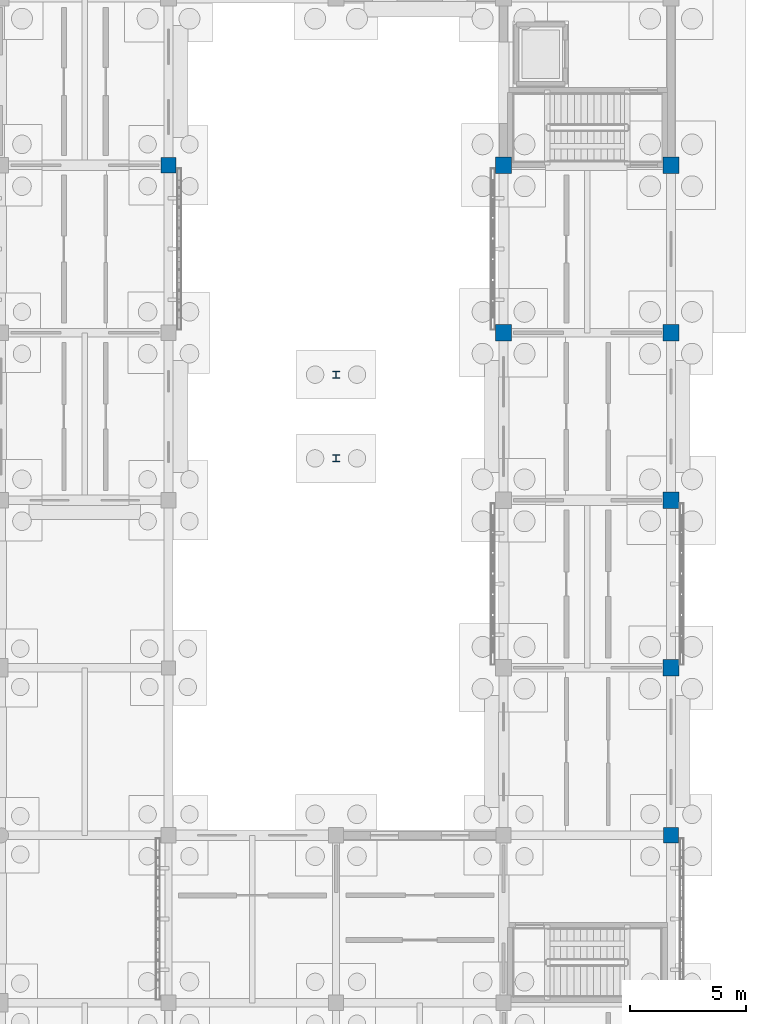
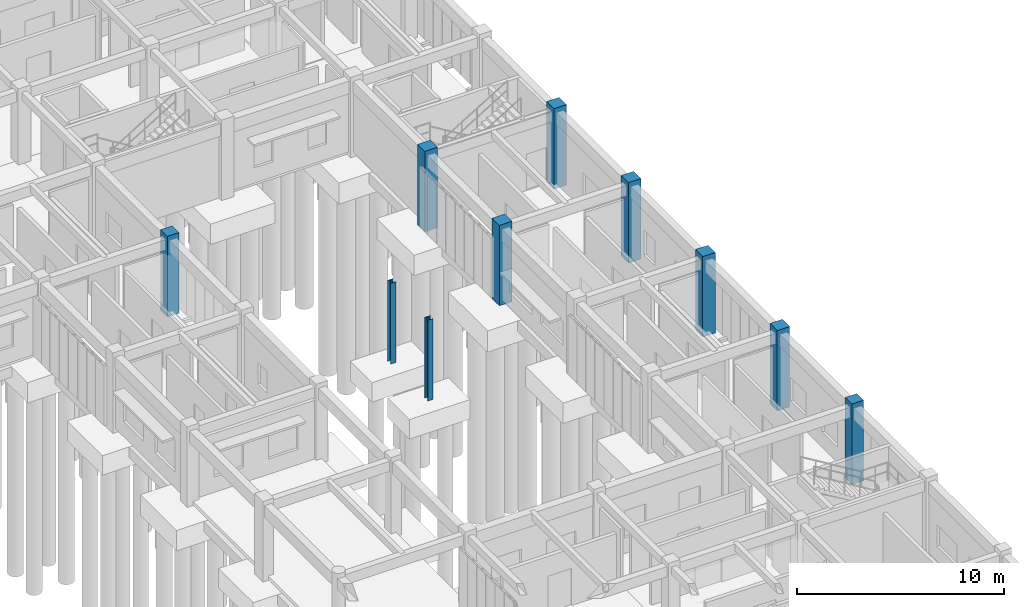
# One storey, part 11 of 111: 10 columns.
"""IFC4 building model written with IfcOpenShell, lengths in metres."""

from ifc_helpers import new_model, si_unit, direction, frame, origin, origin_2d, place, context, subcontext, project, spatial, rectangle, i_section, extrude, material, material_profile, profile_set, type_object, element, save


model = new_model("IFC4")

# Units and contexts
model_context = context("Model", 3, precision=1e-05, world=origin(), true_north=direction((0.0, 1.0)))
body_context = subcontext(model_context, "Body", "Model", "MODEL_VIEW")
ifc_project = project(units=[si_unit("LENGTHUNIT", "METRE"), si_unit("AREAUNIT", "SQUARE_METRE"), si_unit("VOLUMEUNIT", "CUBIC_METRE"), si_unit("PLANEANGLEUNIT", "RADIAN"), si_unit("MASSUNIT", "GRAM", prefix="KILO")], contexts=[model_context])

# Site, building, storey
site_placement = place(None, origin())
site = spatial("IfcSite", under=ifc_project, at=site_placement, CompositionType="ELEMENT")
building_placement = place(site_placement, origin())
building = spatial("IfcBuilding", under=site, at=building_placement, Name="Aldebral Square Health Centre", CompositionType="ELEMENT")
storey_placement = place(building_placement, origin())
storey = spatial("IfcBuildingStorey", under=building, at=storey_placement, Name="L00", CompositionType="ELEMENT", Elevation=0.0)

# Columns
ifc_material_1 = material(Name="Concrete C40/50", Category="concrete")
ifc_material_profile_1 = material_profile(ifc_material_1, rectangle(XDim=0.699951171875, YDim=0.699951171875, at=origin_2d()), Name="RC 700x700")
ifc_profile_set_1 = profile_set([ifc_material_profile_1], Name="Concrete C40/50")
column_type_1 = type_object("IfcColumnType", Name="COL-C1", PredefinedType="COLUMN", material=ifc_profile_set_1)
for number, where, z_axis, x_axis, name in (
    (1, (158.39990234375, 86.39990234375, -0.25), (0.0, 0.0, 1.0), (1.0, 0.0, 0.0), "L00 column 23/13"),
    (2, (158.39990234375, 93.60009765625, -0.25), (0.0, 0.0, 1.0), (1.0, 0.0, 0.0), "L00 column 23/14"),
    (3, (165.60009765625, 72.0, -0.25), (0.0, 0.0, 1.0), (1.0, 0.0, 0.0), "L00 column 24/11"),
    (4, (165.60009765625, 79.199951171875, -0.25), (0.0, 0.0, 1.0), (1.0, 0.0, 0.0), "L00 column 24/12"),
    (5, (165.60009765625, 86.39990234375, -0.25), (0.0, 0.0, 1.0), (1.0, 0.0, 0.0), "L00 column 24/13"),
    (6, (165.60009765625, 93.60009765625, -0.25), (0.0, 0.0, 1.0), (1.0, 0.0, 0.0), "L00 column 24/14"),
):
    element("IfcColumn", number, at=place(storey_placement, frame(where, z_axis=z_axis, x_axis=x_axis)), inside=storey, type_object=column_type_1, Name=name, PredefinedType="COLUMN", context=body_context, shape_type="SweptSolid", body=[
        extrude(rectangle(XDim=0.699951171875, YDim=0.699951171875, at=origin_2d()), origin(), (0.0, 0.0, 1.0), 4.75),
    ])
ifc_material_profile_2 = material_profile(ifc_material_1, rectangle(XDim=0.64990234375, YDim=0.64990234375, at=origin_2d()), Name="RC 650x650")
ifc_profile_set_2 = profile_set([ifc_material_profile_2], Name="Concrete C40/50")
column_type_2 = type_object("IfcColumnType", Name="COL-C2", PredefinedType="COLUMN", material=ifc_profile_set_2)
for number, where, z_axis, x_axis, name in (
    (7, (144.0, 93.60009765625, -0.25), (0.0, 0.0, 1.0), (1.0, 0.0, 0.0), "L00 column 21/14"),
    (8, (165.60009765625, 64.800048828125, -0.25), (0.0, 0.0, 1.0), (1.0, 0.0, 0.0), "L00 column 24/10"),
):
    element("IfcColumn", number, at=place(storey_placement, frame(where, z_axis=z_axis, x_axis=x_axis)), inside=storey, type_object=column_type_2, Name=name, PredefinedType="COLUMN", context=body_context, shape_type="SweptSolid", body=[
        extrude(rectangle(XDim=0.64990234375, YDim=0.64990234375, at=origin_2d()), origin(), (0.0, 0.0, 1.0), 4.75),
    ])
ifc_material_2 = material(Name="Steel S355JR", Category="steel")
ifc_material_profile_3 = material_profile(ifc_material_2, i_section(OverallWidth=0.300048828125, OverallDepth=0.300048828125, WebThickness=0.010986328125, FlangeThickness=0.01904296875, FilletRadius=0.027099609375, at=origin_2d()), Name="HEB 300")
ifc_profile_set_3 = profile_set([ifc_material_profile_3], Name="Steel S355JR")
column_type_3 = type_object("IfcColumnType", Name="COL-S1", PredefinedType="COLUMN", material=ifc_profile_set_3)
for number, where, z_axis, x_axis, name in (
    (9, (151.199951171875, 81.0, -0.27490234375), (0.0, 0.0, 1.0), (1.0, 0.0, 0.0), "L00 bridge steel column 21-11"),
    (10, (151.199951171875, 84.60009765625, -0.27490234375), (0.0, 0.0, 1.0), (1.0, 0.0, 0.0), "L00 bridge steel column 21-12"),
):
    element("IfcColumn", number, at=place(storey_placement, frame(where, z_axis=z_axis, x_axis=x_axis)), inside=storey, type_object=column_type_3, Name=name, PredefinedType="COLUMN", context=body_context, shape_type="SweptSolid", body=[
        extrude(i_section(OverallWidth=0.300048828125, OverallDepth=0.300048828125, WebThickness=0.010986328125, FlangeThickness=0.01904296875, FilletRadius=0.027099609375, at=origin_2d()), origin(), (0.0, 0.0, 1.0), 4.77490234375),
    ])

save(model, "model.ifc")
